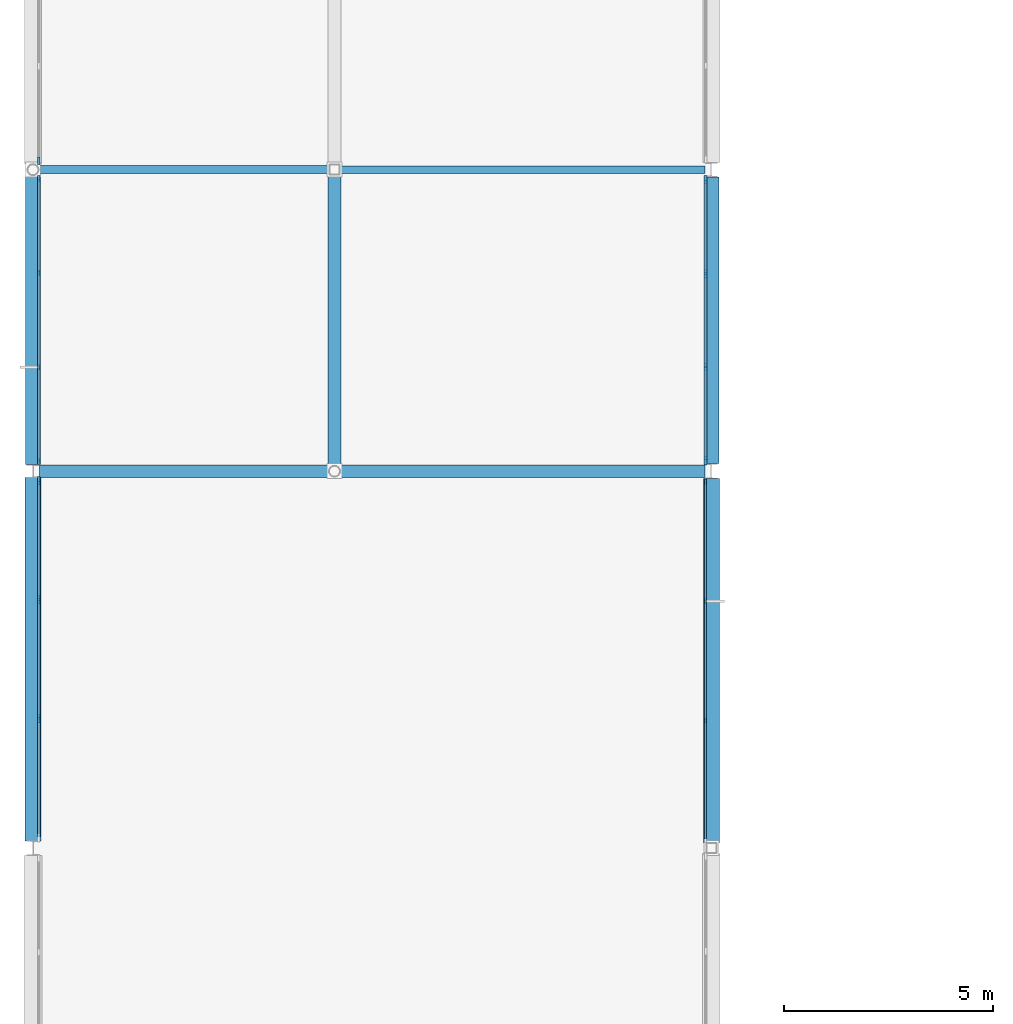
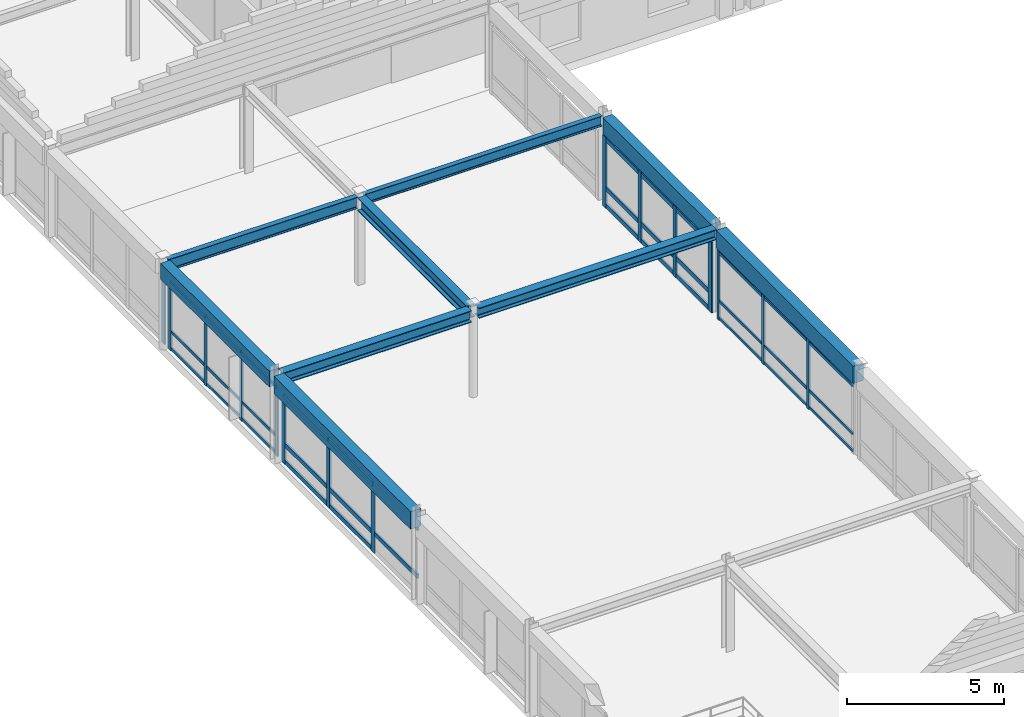
# One storey, part 14 of 52: 50 members, 9 beams, 5 elements without a shape of their own.
"""IFC4 building model written with IfcOpenShell, lengths in metres."""

from ifc_helpers import new_model, si_unit, direction, frame, origin, origin_2d, place, context, subcontext, project, spatial, rectangle, i_section, extrude, material, material_profile, profile_set, type_object, element, aggregate, save


model = new_model("IFC4")

# Units and contexts
model_context = context("Model", 3, precision=1e-05, world=origin(), true_north=direction((0.0, 1.0)))
body_context = subcontext(model_context, "Body", "Model", "MODEL_VIEW")
ifc_project = project(units=[si_unit("LENGTHUNIT", "METRE"), si_unit("AREAUNIT", "SQUARE_METRE"), si_unit("VOLUMEUNIT", "CUBIC_METRE"), si_unit("PLANEANGLEUNIT", "RADIAN"), si_unit("MASSUNIT", "GRAM", prefix="KILO")], contexts=[model_context])

# Site, building, storey
site_placement = place(None, origin())
site = spatial("IfcSite", under=ifc_project, at=site_placement, CompositionType="ELEMENT")
building_placement = place(site_placement, origin())
building = spatial("IfcBuilding", under=site, at=building_placement, Name="Clarverna Civic Hall", CompositionType="ELEMENT")
storey_placement = place(building_placement, frame((0.0, 0.0, 16.800048828125)))
storey = spatial("IfcBuildingStorey", under=building, at=storey_placement, Name="L04", CompositionType="ELEMENT", Elevation=16.800048828125)

# Beams
ifc_material_1 = material(Name="Concrete C35/45", Category="concrete")
ifc_material_profile_1 = material_profile(ifc_material_1, rectangle(XDim=0.3798828125, YDim=0.679931640625, at=origin_2d()), Name="RC 380x680")
ifc_profile_set_1 = profile_set([ifc_material_profile_1], Name="Concrete C35/45")
beam_type_1 = type_object("IfcBeamType", Name="B-SP2", PredefinedType="SPANDREL", material=ifc_profile_set_1)
beam_1_placement = place(storey_placement, frame((0.0, 78.97509765625, 3.079833984375), z_axis=(0.0, 1.0, 0.0), x_axis=(-1.0, 0.0, 0.0)))
element("IfcBeam", 1, at=beam_1_placement, inside=storey, type_object=beam_type_1, Name="B-SP2-142", PredefinedType="SPANDREL", context=body_context, shape_type="SweptSolid", body=[
    extrude(rectangle(XDim=0.3798828125, YDim=0.679931640625, at=origin_2d()), origin(), (0.0, 0.0, 1.0), 8.669921875),
])
beam_2_placement = place(storey_placement, frame((16.199951171875, 78.925048828125, 3.079833984375), z_axis=(0.0, 1.0, 0.0), x_axis=(-1.0, 0.0, 0.0)))
element("IfcBeam", 2, at=beam_2_placement, inside=storey, type_object=beam_type_1, Name="B-SP2-144", PredefinedType="SPANDREL", context=body_context, shape_type="SweptSolid", body=[
    extrude(rectangle(XDim=0.3798828125, YDim=0.679931640625, at=origin_2d()), origin(), (0.0, 0.0, 1.0), 8.695068359375),
])
ifc_material_profile_2 = material_profile(ifc_material_1, rectangle(XDim=0.360107421875, YDim=0.6201171875, at=origin_2d()), Name="RC 360x620")
ifc_profile_set_2 = profile_set([ifc_material_profile_2], Name="Concrete C35/45")
beam_type_2 = type_object("IfcBeamType", Name="B-SP3", PredefinedType="SPANDREL", material=ifc_profile_set_2)
beam_3_placement = place(storey_placement, frame((0.0, 87.955078125, 3.10986328125), z_axis=(0.0, 1.0, 0.0), x_axis=(-1.0, 0.0, 0.0)))
element("IfcBeam", 3, at=beam_3_placement, inside=storey, type_object=beam_type_2, Name="B-SP3-141", PredefinedType="SPANDREL", context=body_context, shape_type="SweptSolid", body=[
    extrude(rectangle(XDim=0.360107421875, YDim=0.6201171875, at=origin_2d()), origin(), (0.0, 0.0, 1.0), 6.908447265625),
])
beam_4_placement = place(storey_placement, frame((16.199951171875, 87.97998046875, 3.10986328125), z_axis=(0.0, 1.0, 0.0), x_axis=(-1.0, 0.0, 0.0)))
element("IfcBeam", 4, at=beam_4_placement, inside=storey, type_object=beam_type_2, Name="B-SP3-142", PredefinedType="SPANDREL", context=body_context, shape_type="SweptSolid", body=[
    extrude(rectangle(XDim=0.360107421875, YDim=0.6201171875, at=origin_2d()), origin(), (0.0, 0.0, 1.0), 6.85009765625),
])
ifc_material_2 = material(Name="Steel S355", Category="steel")
ifc_material_profile_3 = material_profile(ifc_material_2, i_section(OverallWidth=0.18994140625, OverallDepth=0.449951171875, WebThickness=0.009521484375, FlangeThickness=0.0146484375, FilletRadius=0.02099609375, at=origin_2d()), Name="IPE 450")
ifc_profile_set_3 = profile_set([ifc_material_profile_3], Name="Steel S355")
beam_type_3 = type_object("IfcBeamType", Name="B-ST13", PredefinedType="BEAM", material=ifc_profile_set_3)
beam_5_placement = place(storey_placement, frame((0.136474609375, 95.0, 3.195068359375), z_axis=(1.0, 0.0, 0.0), x_axis=(0.0, 1.0, 0.0)))
element("IfcBeam", 5, at=beam_5_placement, inside=storey, type_object=beam_type_3, Name="B-ST13-019", PredefinedType="BEAM", context=body_context, shape_type="SweptSolid", body=[
    extrude(i_section(OverallWidth=0.18994140625, OverallDepth=0.449951171875, WebThickness=0.009521484375, FlangeThickness=0.0146484375, FilletRadius=0.02099609375, at=origin_2d()), origin(), (0.0, 0.0, 1.0), 6.9384765625),
])
ifc_material_profile_4 = material_profile(ifc_material_2, i_section(OverallWidth=0.179931640625, OverallDepth=0.39990234375, WebThickness=0.008544921875, FlangeThickness=0.013427734375, FilletRadius=0.02099609375, at=origin_2d()), Name="IPE 400")
ifc_profile_set_4 = profile_set([ifc_material_profile_4], Name="Steel S355")
beam_type_4 = type_object("IfcBeamType", Name="B-ST14", PredefinedType="BEAM", material=ifc_profile_set_4)
beam_6_placement = place(storey_placement, frame((7.324951171875, 95.0, 3.219970703125), z_axis=(1.0, 0.0, 0.0), x_axis=(0.0, 1.0, 0.0)))
element("IfcBeam", 6, at=beam_6_placement, inside=storey, type_object=beam_type_4, Name="B-ST14-021", PredefinedType="BEAM", context=body_context, shape_type="SweptSolid", body=[
    extrude(i_section(OverallWidth=0.179931640625, OverallDepth=0.39990234375, WebThickness=0.008544921875, FlangeThickness=0.013427734375, FilletRadius=0.02099609375, at=origin_2d()), origin(), (0.0, 0.0, 1.0), 8.72509765625),
])
ifc_material_profile_5 = material_profile(ifc_material_2, i_section(OverallWidth=0.300048828125, OverallDepth=0.5, WebThickness=0.014404296875, FlangeThickness=0.028076171875, FilletRadius=0.027099609375, at=origin_2d()), Name="HEB 500")
ifc_profile_set_5 = profile_set([ifc_material_profile_5], Name="Steel S355")
beam_type_5 = type_object("IfcBeamType", Name="B-ST2", PredefinedType="BEAM", material=ifc_profile_set_5)
beam_7_placement = place(storey_placement, frame((7.199951171875, 87.9365234375, 3.169921875), z_axis=(0.0, 1.0, 0.0), x_axis=(-1.0, 0.0, 0.0)))
element("IfcBeam", 7, at=beam_7_placement, inside=storey, type_object=beam_type_5, Name="B-ST2-019", PredefinedType="BEAM", context=body_context, shape_type="SweptSolid", body=[
    extrude(i_section(OverallWidth=0.300048828125, OverallDepth=0.5, WebThickness=0.014404296875, FlangeThickness=0.028076171875, FilletRadius=0.027099609375, at=origin_2d()), origin(), (0.0, 0.0, 1.0), 6.9384765625),
])
ifc_material_profile_6 = material_profile(ifc_material_2, i_section(OverallWidth=0.300048828125, OverallDepth=0.449951171875, WebThickness=0.013916015625, FlangeThickness=0.02587890625, FilletRadius=0.027099609375, at=origin_2d()), Name="HEB 450")
ifc_profile_set_6 = profile_set([ifc_material_profile_6], Name="Steel S355")
beam_type_6 = type_object("IfcBeamType", Name="B-ST3", PredefinedType="BEAM", material=ifc_profile_set_6)
beam_8_placement = place(storey_placement, frame((0.14990234375, 87.800048828125, 3.195068359375), z_axis=(1.0, 0.0, 0.0), x_axis=(0.0, 1.0, 0.0)))
element("IfcBeam", 8, at=beam_8_placement, inside=storey, type_object=beam_type_6, Name="B-ST3-018", PredefinedType="BEAM", context=body_context, shape_type="SweptSolid", body=[
    extrude(i_section(OverallWidth=0.300048828125, OverallDepth=0.449951171875, WebThickness=0.013916015625, FlangeThickness=0.02587890625, FilletRadius=0.027099609375, at=origin_2d()), origin(), (0.0, 0.0, 1.0), 6.91357421875),
])
ifc_material_profile_7 = material_profile(ifc_material_2, i_section(OverallWidth=0.300048828125, OverallDepth=0.39990234375, WebThickness=0.013427734375, FlangeThickness=0.02392578125, FilletRadius=0.027099609375, at=origin_2d()), Name="HEB 400")
ifc_profile_set_7 = profile_set([ifc_material_profile_7], Name="Steel S355")
beam_type_7 = type_object("IfcBeamType", Name="B-ST4", PredefinedType="BEAM", material=ifc_profile_set_7)
beam_9_placement = place(storey_placement, frame((7.33642578125, 87.800048828125, 3.219970703125), z_axis=(1.0, 0.0, 0.0), x_axis=(0.0, 1.0, 0.0)))
element("IfcBeam", 9, at=beam_9_placement, inside=storey, type_object=beam_type_7, Name="B-ST4-015", PredefinedType="BEAM", context=body_context, shape_type="SweptSolid", body=[
    extrude(i_section(OverallWidth=0.300048828125, OverallDepth=0.39990234375, WebThickness=0.013427734375, FlangeThickness=0.02392578125, FilletRadius=0.027099609375, at=origin_2d()), origin(), (0.0, 0.0, 1.0), 8.713623046875),
])

# Curtain wall, member
ifc_material_3 = material(Name="Anodised Bronze Architectural Aluminium", Category="aluminium")
curtain_wall_type = type_object("IfcCurtainWallType", Name="CW-05", PredefinedType="USERDEFINED", material=ifc_material_3)
curtain_wall_1_placement = place(storey_placement, origin())
curtain_wall_1 = element("IfcCurtainWall", 10, at=curtain_wall_1_placement, inside=storey, type_object=curtain_wall_type, Name="CW-05-027", ObjectType="UNITISED CURTAIN WALL", PredefinedType="USERDEFINED")
ifc_material_profile_8 = material_profile(ifc_material_3, rectangle(XDim=0.06005859375, YDim=0.179931640625, at=origin_2d()), Name="BRONZE 60x180")
ifc_profile_set_8 = profile_set([ifc_material_profile_8], Name="Anodised Bronze Architectural Aluminium")
member_type_1 = type_object("IfcMemberType", Name="CWM-01", PredefinedType="MULLION", material=ifc_profile_set_8)
member_1_placement = place(storey_placement, frame((0.139892578125, 95.20947265625, 0.0), z_axis=(0.0, 0.0, 1.0), x_axis=(1.0, 0.0, 0.0)))
member_1 = element("IfcMember", 11, at=member_1_placement, type_object=member_type_1, Name="CWM-01-186", PredefinedType="MULLION", context=body_context, shape_type="SweptSolid", body=[
    extrude(rectangle(XDim=0.06005859375, YDim=0.179931640625, at=origin_2d()), origin(), (0.0, 0.0, 1.0), 2.699951171875),
])
aggregate(curtain_wall_1, [member_1])

# Curtain wall, members
curtain_wall_2_placement = place(storey_placement, origin())
curtain_wall_2 = element("IfcCurtainWall", 12, at=curtain_wall_2_placement, inside=storey, type_object=curtain_wall_type, Name="CW-05-025", ObjectType="UNITISED CURTAIN WALL", PredefinedType="USERDEFINED")
ifc_material_profile_9 = material_profile(ifc_material_3, rectangle(XDim=0.06494140625, YDim=0.199951171875, at=origin_2d()), Name="BRONZE 65x200")
ifc_profile_set_9 = profile_set([ifc_material_profile_9], Name="Anodised Bronze Architectural Aluminium")
member_type_2 = type_object("IfcMemberType", Name="CWM-03", PredefinedType="MULLION", material=ifc_profile_set_9)
member_2_placement = place(storey_placement, frame((0.139892578125, 81.889404296875, 0.0), z_axis=(0.0, 0.0, 1.0), x_axis=(1.0, 0.0, 0.0)))
member_2 = element("IfcMember", 13, at=member_2_placement, type_object=member_type_2, Name="CWM-03-189", PredefinedType="MULLION", context=body_context, shape_type="SweptSolid", body=[
    extrude(rectangle(XDim=0.06494140625, YDim=0.199951171875, at=origin_2d()), origin(), (0.0, 0.0, 1.0), 2.699951171875),
])
member_3_placement = place(storey_placement, frame((0.139892578125, 84.730712890625, 0.0), z_axis=(0.0, 0.0, 1.0), x_axis=(1.0, 0.0, 0.0)))
member_3 = element("IfcMember", 14, at=member_3_placement, type_object=member_type_2, Name="CWM-03-190", PredefinedType="MULLION", context=body_context, shape_type="SweptSolid", body=[
    extrude(rectangle(XDim=0.06494140625, YDim=0.199951171875, at=origin_2d()), origin(), (0.0, 0.0, 1.0), 2.699951171875),
])
member_4_placement = place(storey_placement, frame((0.139892578125, 87.572021484375, 0.0), z_axis=(0.0, 0.0, 1.0), x_axis=(1.0, 0.0, 0.0)))
member_4 = element("IfcMember", 15, at=member_4_placement, type_object=member_type_2, Name="CWM-03-191", PredefinedType="MULLION", context=body_context, shape_type="SweptSolid", body=[
    extrude(rectangle(XDim=0.06494140625, YDim=0.199951171875, at=origin_2d()), origin(), (0.0, 0.0, 1.0), 2.699951171875),
])

curtain_wall_3_placement = place(storey_placement, origin())
curtain_wall_3 = element("IfcCurtainWall", 16, at=curtain_wall_3_placement, inside=storey, type_object=curtain_wall_type, Name="CW-05-033", ObjectType="UNITISED CURTAIN WALL", PredefinedType="USERDEFINED")
member_5_placement = place(storey_placement, frame((16.06005859375, 94.757080078125, 0.0), z_axis=(0.0, 0.0, 1.0), x_axis=(1.0, 0.0, 0.0)))
member_5 = element("IfcMember", 17, at=member_5_placement, type_object=member_type_2, Name="CWM-03-195", PredefinedType="MULLION", context=body_context, shape_type="SweptSolid", body=[
    extrude(rectangle(XDim=0.06494140625, YDim=0.199951171875, at=origin_2d()), origin(), (0.0, 0.0, 1.0), 2.739990234375),
])
member_6_placement = place(storey_placement, frame((16.06005859375, 92.522216796875, 0.0), z_axis=(0.0, 0.0, 1.0), x_axis=(1.0, 0.0, 0.0)))
member_6 = element("IfcMember", 18, at=member_6_placement, type_object=member_type_2, Name="CWM-03-196", PredefinedType="MULLION", context=body_context, shape_type="SweptSolid", body=[
    extrude(rectangle(XDim=0.06494140625, YDim=0.199951171875, at=origin_2d()), origin(), (0.0, 0.0, 1.0), 2.739990234375),
])
member_7_placement = place(storey_placement, frame((16.06005859375, 90.28759765625, 0.0), z_axis=(0.0, 0.0, 1.0), x_axis=(1.0, 0.0, 0.0)))
member_7 = element("IfcMember", 19, at=member_7_placement, type_object=member_type_2, Name="CWM-03-197", PredefinedType="MULLION", context=body_context, shape_type="SweptSolid", body=[
    extrude(rectangle(XDim=0.06494140625, YDim=0.199951171875, at=origin_2d()), origin(), (0.0, 0.0, 1.0), 2.739990234375),
])
member_8_placement = place(storey_placement, frame((16.06005859375, 88.052978515625, 0.0), z_axis=(0.0, 0.0, 1.0), x_axis=(1.0, 0.0, 0.0)))
member_8 = element("IfcMember", 20, at=member_8_placement, type_object=member_type_2, Name="CWM-03-198", PredefinedType="MULLION", context=body_context, shape_type="SweptSolid", body=[
    extrude(rectangle(XDim=0.06494140625, YDim=0.199951171875, at=origin_2d()), origin(), (0.0, 0.0, 1.0), 2.739990234375),
])

curtain_wall_4_placement = place(storey_placement, origin())
curtain_wall_4 = element("IfcCurtainWall", 21, at=curtain_wall_4_placement, inside=storey, type_object=curtain_wall_type, Name="CW-05-026", ObjectType="UNITISED CURTAIN WALL", PredefinedType="USERDEFINED")
ifc_material_profile_10 = material_profile(ifc_material_3, rectangle(XDim=0.054931640625, YDim=0.139892578125, at=origin_2d()), Name="BRONZE 55x140")
ifc_profile_set_10 = profile_set([ifc_material_profile_10], Name="Anodised Bronze Architectural Aluminium")
member_type_3 = type_object("IfcMemberType", Name="CWM-04", PredefinedType="MULLION", material=ifc_profile_set_10)
member_9_placement = place(storey_placement, frame((0.139892578125, 88.028076171875, 0.0), z_axis=(0.0, 0.0, 1.0), x_axis=(1.0, 0.0, 0.0)))
member_9 = element("IfcMember", 22, at=member_9_placement, type_object=member_type_3, Name="CWM-04-211", PredefinedType="MULLION", context=body_context, shape_type="SweptSolid", body=[
    extrude(rectangle(XDim=0.054931640625, YDim=0.139892578125, at=origin_2d()), origin(), (0.0, 0.0, 1.0), 2.739990234375),
])
member_10_placement = place(storey_placement, frame((0.139892578125, 90.2822265625, 0.0), z_axis=(0.0, 0.0, 1.0), x_axis=(1.0, 0.0, 0.0)))
member_10 = element("IfcMember", 23, at=member_10_placement, type_object=member_type_3, Name="CWM-04-212", PredefinedType="MULLION", context=body_context, shape_type="SweptSolid", body=[
    extrude(rectangle(XDim=0.054931640625, YDim=0.139892578125, at=origin_2d()), origin(), (0.0, 0.0, 1.0), 2.739990234375),
])
member_11_placement = place(storey_placement, frame((0.139892578125, 92.536376953125, 0.0), z_axis=(0.0, 0.0, 1.0), x_axis=(1.0, 0.0, 0.0)))
member_11 = element("IfcMember", 24, at=member_11_placement, type_object=member_type_3, Name="CWM-04-213", PredefinedType="MULLION", context=body_context, shape_type="SweptSolid", body=[
    extrude(rectangle(XDim=0.054931640625, YDim=0.139892578125, at=origin_2d()), origin(), (0.0, 0.0, 1.0), 2.739990234375),
])
member_12_placement = place(storey_placement, frame((0.139892578125, 94.79052734375, 0.0), z_axis=(0.0, 0.0, 1.0), x_axis=(1.0, 0.0, 0.0)))
member_12 = element("IfcMember", 25, at=member_12_placement, type_object=member_type_3, Name="CWM-04-214", PredefinedType="MULLION", context=body_context, shape_type="SweptSolid", body=[
    extrude(rectangle(XDim=0.054931640625, YDim=0.139892578125, at=origin_2d()), origin(), (0.0, 0.0, 1.0), 2.739990234375),
])

curtain_wall_5_placement = place(storey_placement, origin())
curtain_wall_5 = element("IfcCurtainWall", 26, at=curtain_wall_5_placement, inside=storey, type_object=curtain_wall_type, Name="CW-05-034", ObjectType="UNITISED CURTAIN WALL", PredefinedType="USERDEFINED")
member_13_placement = place(storey_placement, frame((16.06005859375, 87.547119140625, 0.0), z_axis=(0.0, 0.0, 1.0), x_axis=(1.0, 0.0, 0.0)))
member_13 = element("IfcMember", 27, at=member_13_placement, type_object=member_type_3, Name="CWM-04-218", PredefinedType="MULLION", context=body_context, shape_type="SweptSolid", body=[
    extrude(rectangle(XDim=0.054931640625, YDim=0.139892578125, at=origin_2d()), origin(), (0.0, 0.0, 1.0), 2.699951171875),
])
member_14_placement = place(storey_placement, frame((16.06005859375, 84.697265625, 0.0), z_axis=(0.0, 0.0, 1.0), x_axis=(1.0, 0.0, 0.0)))
member_14 = element("IfcMember", 28, at=member_14_placement, type_object=member_type_3, Name="CWM-04-219", PredefinedType="MULLION", context=body_context, shape_type="SweptSolid", body=[
    extrude(rectangle(XDim=0.054931640625, YDim=0.139892578125, at=origin_2d()), origin(), (0.0, 0.0, 1.0), 2.699951171875),
])
member_15_placement = place(storey_placement, frame((16.06005859375, 81.84765625, 0.0), z_axis=(0.0, 0.0, 1.0), x_axis=(1.0, 0.0, 0.0)))
member_15 = element("IfcMember", 29, at=member_15_placement, type_object=member_type_3, Name="CWM-04-220", PredefinedType="MULLION", context=body_context, shape_type="SweptSolid", body=[
    extrude(rectangle(XDim=0.054931640625, YDim=0.139892578125, at=origin_2d()), origin(), (0.0, 0.0, 1.0), 2.699951171875),
])

# Member
ifc_material_profile_11 = material_profile(ifc_material_3, rectangle(XDim=0.06494140625, YDim=0.169921875, at=origin_2d()), Name="BRONZE 65x170")
ifc_profile_set_11 = profile_set([ifc_material_profile_11], Name="Anodised Bronze Architectural Aluminium")
member_type_4 = type_object("IfcMemberType", Name="CWT-03", PredefinedType="USERDEFINED", material=ifc_profile_set_11)
member_16_placement = place(storey_placement, frame((0.139892578125, 79.06298828125, 0.75), z_axis=(0.0, 1.0, 0.0), x_axis=(-1.0, 0.0, 0.0)))
member_16 = element("IfcMember", 30, at=member_16_placement, type_object=member_type_4, Name="CWT-03-401", ObjectType="TRANSOM", PredefinedType="USERDEFINED", context=body_context, shape_type="SweptSolid", body=[
    extrude(rectangle(XDim=0.06494140625, YDim=0.169921875, at=origin_2d()), origin(), (0.0, 0.0, 1.0), 2.811279296875),
])

member_17_placement = place(storey_placement, frame((0.139892578125, 79.06298828125, 2.60498046875), z_axis=(0.0, 1.0, 0.0), x_axis=(-1.0, 0.0, 0.0)))
member_17 = element("IfcMember", 31, at=member_17_placement, type_object=member_type_4, Name="CWT-03-402", ObjectType="TRANSOM", PredefinedType="USERDEFINED", context=body_context, shape_type="SweptSolid", body=[
    extrude(rectangle(XDim=0.06494140625, YDim=0.169921875, at=origin_2d()), origin(), (0.0, 0.0, 1.0), 2.811279296875),
])

member_18_placement = place(storey_placement, frame((0.139892578125, 81.904296875, 0.094970703125), z_axis=(0.0, 1.0, 0.0), x_axis=(-1.0, 0.0, 0.0)))
member_18 = element("IfcMember", 32, at=member_18_placement, type_object=member_type_4, Name="CWT-03-403", ObjectType="TRANSOM", PredefinedType="USERDEFINED", context=body_context, shape_type="SweptSolid", body=[
    extrude(rectangle(XDim=0.06494140625, YDim=0.169921875, at=origin_2d()), origin(), (0.0, 0.0, 1.0), 2.8115234375),
])

member_19_placement = place(storey_placement, frame((0.139892578125, 81.904296875, 0.75), z_axis=(0.0, 1.0, 0.0), x_axis=(-1.0, 0.0, 0.0)))
member_19 = element("IfcMember", 33, at=member_19_placement, type_object=member_type_4, Name="CWT-03-404", ObjectType="TRANSOM", PredefinedType="USERDEFINED", context=body_context, shape_type="SweptSolid", body=[
    extrude(rectangle(XDim=0.06494140625, YDim=0.169921875, at=origin_2d()), origin(), (0.0, 0.0, 1.0), 2.8115234375),
])

member_20_placement = place(storey_placement, frame((0.139892578125, 81.904296875, 2.60498046875), z_axis=(0.0, 1.0, 0.0), x_axis=(-1.0, 0.0, 0.0)))
member_20 = element("IfcMember", 34, at=member_20_placement, type_object=member_type_4, Name="CWT-03-405", ObjectType="TRANSOM", PredefinedType="USERDEFINED", context=body_context, shape_type="SweptSolid", body=[
    extrude(rectangle(XDim=0.06494140625, YDim=0.169921875, at=origin_2d()), origin(), (0.0, 0.0, 1.0), 2.8115234375),
])

member_21_placement = place(storey_placement, frame((0.139892578125, 84.74560546875, 0.094970703125), z_axis=(0.0, 1.0, 0.0), x_axis=(-1.0, 0.0, 0.0)))
member_21 = element("IfcMember", 35, at=member_21_placement, type_object=member_type_4, Name="CWT-03-406", ObjectType="TRANSOM", PredefinedType="USERDEFINED", context=body_context, shape_type="SweptSolid", body=[
    extrude(rectangle(XDim=0.06494140625, YDim=0.169921875, at=origin_2d()), origin(), (0.0, 0.0, 1.0), 2.811279296875),
])

member_22_placement = place(storey_placement, frame((0.139892578125, 84.74560546875, 0.75), z_axis=(0.0, 1.0, 0.0), x_axis=(-1.0, 0.0, 0.0)))
member_22 = element("IfcMember", 36, at=member_22_placement, type_object=member_type_4, Name="CWT-03-407", ObjectType="TRANSOM", PredefinedType="USERDEFINED", context=body_context, shape_type="SweptSolid", body=[
    extrude(rectangle(XDim=0.06494140625, YDim=0.169921875, at=origin_2d()), origin(), (0.0, 0.0, 1.0), 2.811279296875),
])

member_23_placement = place(storey_placement, frame((0.139892578125, 84.74560546875, 2.60498046875), z_axis=(0.0, 1.0, 0.0), x_axis=(-1.0, 0.0, 0.0)))
member_23 = element("IfcMember", 37, at=member_23_placement, type_object=member_type_4, Name="CWT-03-408", ObjectType="TRANSOM", PredefinedType="USERDEFINED", context=body_context, shape_type="SweptSolid", body=[
    extrude(rectangle(XDim=0.06494140625, YDim=0.169921875, at=origin_2d()), origin(), (0.0, 0.0, 1.0), 2.811279296875),
])

aggregate(curtain_wall_2, [member_2, member_3, member_4, member_16, member_17, member_18, member_19, member_20, member_21, member_22, member_23])

member_24_placement = place(storey_placement, frame((16.06005859375, 94.741943359375, 0.094970703125), z_axis=(0.0, -1.0, 0.0), x_axis=(1.0, 0.0, 0.0)))
member_24 = element("IfcMember", 38, at=member_24_placement, type_object=member_type_4, Name="CWT-03-415", ObjectType="TRANSOM", PredefinedType="USERDEFINED", context=body_context, shape_type="SweptSolid", body=[
    extrude(rectangle(XDim=0.06494140625, YDim=0.169921875, at=origin_2d()), origin(), (0.0, 0.0, 1.0), 2.20458984375),
])

member_25_placement = place(storey_placement, frame((16.06005859375, 94.741943359375, 0.75), z_axis=(0.0, -1.0, 0.0), x_axis=(1.0, 0.0, 0.0)))
member_25 = element("IfcMember", 39, at=member_25_placement, type_object=member_type_4, Name="CWT-03-416", ObjectType="TRANSOM", PredefinedType="USERDEFINED", context=body_context, shape_type="SweptSolid", body=[
    extrude(rectangle(XDim=0.06494140625, YDim=0.169921875, at=origin_2d()), origin(), (0.0, 0.0, 1.0), 2.20458984375),
])

member_26_placement = place(storey_placement, frame((16.06005859375, 94.741943359375, 2.64501953125), z_axis=(0.0, -1.0, 0.0), x_axis=(1.0, 0.0, 0.0)))
member_26 = element("IfcMember", 40, at=member_26_placement, type_object=member_type_4, Name="CWT-03-417", ObjectType="TRANSOM", PredefinedType="USERDEFINED", context=body_context, shape_type="SweptSolid", body=[
    extrude(rectangle(XDim=0.06494140625, YDim=0.169921875, at=origin_2d()), origin(), (0.0, 0.0, 1.0), 2.20458984375),
])

member_27_placement = place(storey_placement, frame((16.06005859375, 92.50732421875, 0.094970703125), z_axis=(0.0, -1.0, 0.0), x_axis=(1.0, 0.0, 0.0)))
member_27 = element("IfcMember", 41, at=member_27_placement, type_object=member_type_4, Name="CWT-03-418", ObjectType="TRANSOM", PredefinedType="USERDEFINED", context=body_context, shape_type="SweptSolid", body=[
    extrude(rectangle(XDim=0.06494140625, YDim=0.169921875, at=origin_2d()), origin(), (0.0, 0.0, 1.0), 2.20458984375),
])

member_28_placement = place(storey_placement, frame((16.06005859375, 92.50732421875, 0.75), z_axis=(0.0, -1.0, 0.0), x_axis=(1.0, 0.0, 0.0)))
member_28 = element("IfcMember", 42, at=member_28_placement, type_object=member_type_4, Name="CWT-03-419", ObjectType="TRANSOM", PredefinedType="USERDEFINED", context=body_context, shape_type="SweptSolid", body=[
    extrude(rectangle(XDim=0.06494140625, YDim=0.169921875, at=origin_2d()), origin(), (0.0, 0.0, 1.0), 2.20458984375),
])

member_29_placement = place(storey_placement, frame((16.06005859375, 92.50732421875, 2.64501953125), z_axis=(0.0, -1.0, 0.0), x_axis=(1.0, 0.0, 0.0)))
member_29 = element("IfcMember", 43, at=member_29_placement, type_object=member_type_4, Name="CWT-03-420", ObjectType="TRANSOM", PredefinedType="USERDEFINED", context=body_context, shape_type="SweptSolid", body=[
    extrude(rectangle(XDim=0.06494140625, YDim=0.169921875, at=origin_2d()), origin(), (0.0, 0.0, 1.0), 2.20458984375),
])

member_30_placement = place(storey_placement, frame((16.06005859375, 90.272705078125, 0.094970703125), z_axis=(0.0, -1.0, 0.0), x_axis=(1.0, 0.0, 0.0)))
member_30 = element("IfcMember", 44, at=member_30_placement, type_object=member_type_4, Name="CWT-03-421", ObjectType="TRANSOM", PredefinedType="USERDEFINED", context=body_context, shape_type="SweptSolid", body=[
    extrude(rectangle(XDim=0.06494140625, YDim=0.169921875, at=origin_2d()), origin(), (0.0, 0.0, 1.0), 2.20458984375),
])

member_31_placement = place(storey_placement, frame((16.06005859375, 90.272705078125, 0.75), z_axis=(0.0, -1.0, 0.0), x_axis=(1.0, 0.0, 0.0)))
member_31 = element("IfcMember", 45, at=member_31_placement, type_object=member_type_4, Name="CWT-03-422", ObjectType="TRANSOM", PredefinedType="USERDEFINED", context=body_context, shape_type="SweptSolid", body=[
    extrude(rectangle(XDim=0.06494140625, YDim=0.169921875, at=origin_2d()), origin(), (0.0, 0.0, 1.0), 2.20458984375),
])

member_32_placement = place(storey_placement, frame((16.06005859375, 90.272705078125, 2.64501953125), z_axis=(0.0, -1.0, 0.0), x_axis=(1.0, 0.0, 0.0)))
member_32 = element("IfcMember", 46, at=member_32_placement, type_object=member_type_4, Name="CWT-03-423", ObjectType="TRANSOM", PredefinedType="USERDEFINED", context=body_context, shape_type="SweptSolid", body=[
    extrude(rectangle(XDim=0.06494140625, YDim=0.169921875, at=origin_2d()), origin(), (0.0, 0.0, 1.0), 2.20458984375),
])

aggregate(curtain_wall_3, [member_5, member_6, member_7, member_8, member_24, member_25, member_26, member_27, member_28, member_29, member_30, member_31, member_32])

ifc_material_profile_12 = material_profile(ifc_material_3, rectangle(XDim=0.054931640625, YDim=0.110107421875, at=origin_2d()), Name="BRONZE 55x110")
ifc_profile_set_12 = profile_set([ifc_material_profile_12], Name="Anodised Bronze Architectural Aluminium")
member_type_5 = type_object("IfcMemberType", Name="CWT-04", PredefinedType="USERDEFINED", material=ifc_profile_set_12)
member_33_placement = place(storey_placement, frame((0.139892578125, 88.04296875, 0.094970703125), z_axis=(0.0, 1.0, 0.0), x_axis=(-1.0, 0.0, 0.0)))
member_33 = element("IfcMember", 47, at=member_33_placement, type_object=member_type_5, Name="CWT-04-448", ObjectType="TRANSOM", PredefinedType="USERDEFINED", context=body_context, shape_type="SweptSolid", body=[
    extrude(rectangle(XDim=0.054931640625, YDim=0.110107421875, at=origin_2d()), origin(), (0.0, 0.0, 1.0), 2.22412109375),
])

member_34_placement = place(storey_placement, frame((0.139892578125, 88.04296875, 0.75), z_axis=(0.0, 1.0, 0.0), x_axis=(-1.0, 0.0, 0.0)))
member_34 = element("IfcMember", 48, at=member_34_placement, type_object=member_type_5, Name="CWT-04-449", ObjectType="TRANSOM", PredefinedType="USERDEFINED", context=body_context, shape_type="SweptSolid", body=[
    extrude(rectangle(XDim=0.054931640625, YDim=0.110107421875, at=origin_2d()), origin(), (0.0, 0.0, 1.0), 2.22412109375),
])

member_35_placement = place(storey_placement, frame((0.139892578125, 88.04296875, 2.64501953125), z_axis=(0.0, 1.0, 0.0), x_axis=(-1.0, 0.0, 0.0)))
member_35 = element("IfcMember", 49, at=member_35_placement, type_object=member_type_5, Name="CWT-04-450", ObjectType="TRANSOM", PredefinedType="USERDEFINED", context=body_context, shape_type="SweptSolid", body=[
    extrude(rectangle(XDim=0.054931640625, YDim=0.110107421875, at=origin_2d()), origin(), (0.0, 0.0, 1.0), 2.22412109375),
])

member_36_placement = place(storey_placement, frame((0.139892578125, 90.297119140625, 0.094970703125), z_axis=(0.0, 1.0, 0.0), x_axis=(-1.0, 0.0, 0.0)))
member_36 = element("IfcMember", 50, at=member_36_placement, type_object=member_type_5, Name="CWT-04-451", ObjectType="TRANSOM", PredefinedType="USERDEFINED", context=body_context, shape_type="SweptSolid", body=[
    extrude(rectangle(XDim=0.054931640625, YDim=0.110107421875, at=origin_2d()), origin(), (0.0, 0.0, 1.0), 2.22412109375),
])

member_37_placement = place(storey_placement, frame((0.139892578125, 90.297119140625, 0.75), z_axis=(0.0, 1.0, 0.0), x_axis=(-1.0, 0.0, 0.0)))
member_37 = element("IfcMember", 51, at=member_37_placement, type_object=member_type_5, Name="CWT-04-452", ObjectType="TRANSOM", PredefinedType="USERDEFINED", context=body_context, shape_type="SweptSolid", body=[
    extrude(rectangle(XDim=0.054931640625, YDim=0.110107421875, at=origin_2d()), origin(), (0.0, 0.0, 1.0), 2.22412109375),
])

member_38_placement = place(storey_placement, frame((0.139892578125, 90.297119140625, 2.64501953125), z_axis=(0.0, 1.0, 0.0), x_axis=(-1.0, 0.0, 0.0)))
member_38 = element("IfcMember", 52, at=member_38_placement, type_object=member_type_5, Name="CWT-04-453", ObjectType="TRANSOM", PredefinedType="USERDEFINED", context=body_context, shape_type="SweptSolid", body=[
    extrude(rectangle(XDim=0.054931640625, YDim=0.110107421875, at=origin_2d()), origin(), (0.0, 0.0, 1.0), 2.22412109375),
])

member_39_placement = place(storey_placement, frame((0.139892578125, 92.55126953125, 0.094970703125), z_axis=(0.0, 1.0, 0.0), x_axis=(-1.0, 0.0, 0.0)))
member_39 = element("IfcMember", 53, at=member_39_placement, type_object=member_type_5, Name="CWT-04-454", ObjectType="TRANSOM", PredefinedType="USERDEFINED", context=body_context, shape_type="SweptSolid", body=[
    extrude(rectangle(XDim=0.054931640625, YDim=0.110107421875, at=origin_2d()), origin(), (0.0, 0.0, 1.0), 2.22412109375),
])

member_40_placement = place(storey_placement, frame((0.139892578125, 92.55126953125, 0.75), z_axis=(0.0, 1.0, 0.0), x_axis=(-1.0, 0.0, 0.0)))
member_40 = element("IfcMember", 54, at=member_40_placement, type_object=member_type_5, Name="CWT-04-455", ObjectType="TRANSOM", PredefinedType="USERDEFINED", context=body_context, shape_type="SweptSolid", body=[
    extrude(rectangle(XDim=0.054931640625, YDim=0.110107421875, at=origin_2d()), origin(), (0.0, 0.0, 1.0), 2.22412109375),
])

member_41_placement = place(storey_placement, frame((0.139892578125, 92.55126953125, 2.64501953125), z_axis=(0.0, 1.0, 0.0), x_axis=(-1.0, 0.0, 0.0)))
member_41 = element("IfcMember", 55, at=member_41_placement, type_object=member_type_5, Name="CWT-04-456", ObjectType="TRANSOM", PredefinedType="USERDEFINED", context=body_context, shape_type="SweptSolid", body=[
    extrude(rectangle(XDim=0.054931640625, YDim=0.110107421875, at=origin_2d()), origin(), (0.0, 0.0, 1.0), 2.22412109375),
])

aggregate(curtain_wall_4, [member_9, member_10, member_11, member_12, member_33, member_34, member_35, member_36, member_37, member_38, member_39, member_40, member_41])

member_42_placement = place(storey_placement, frame((16.06005859375, 87.531982421875, 0.094970703125), z_axis=(0.0, -1.0, 0.0), x_axis=(1.0, 0.0, 0.0)))
member_42 = element("IfcMember", 56, at=member_42_placement, type_object=member_type_5, Name="CWT-04-463", ObjectType="TRANSOM", PredefinedType="USERDEFINED", context=body_context, shape_type="SweptSolid", body=[
    extrude(rectangle(XDim=0.054931640625, YDim=0.110107421875, at=origin_2d()), origin(), (0.0, 0.0, 1.0), 2.819580078125),
])

member_43_placement = place(storey_placement, frame((16.06005859375, 87.531982421875, 0.75), z_axis=(0.0, -1.0, 0.0), x_axis=(1.0, 0.0, 0.0)))
member_43 = element("IfcMember", 57, at=member_43_placement, type_object=member_type_5, Name="CWT-04-464", ObjectType="TRANSOM", PredefinedType="USERDEFINED", context=body_context, shape_type="SweptSolid", body=[
    extrude(rectangle(XDim=0.054931640625, YDim=0.110107421875, at=origin_2d()), origin(), (0.0, 0.0, 1.0), 2.819580078125),
])

member_44_placement = place(storey_placement, frame((16.06005859375, 87.531982421875, 2.60498046875), z_axis=(0.0, -1.0, 0.0), x_axis=(1.0, 0.0, 0.0)))
member_44 = element("IfcMember", 58, at=member_44_placement, type_object=member_type_5, Name="CWT-04-465", ObjectType="TRANSOM", PredefinedType="USERDEFINED", context=body_context, shape_type="SweptSolid", body=[
    extrude(rectangle(XDim=0.054931640625, YDim=0.110107421875, at=origin_2d()), origin(), (0.0, 0.0, 1.0), 2.819580078125),
])

member_45_placement = place(storey_placement, frame((16.06005859375, 84.682373046875, 0.094970703125), z_axis=(0.0, -1.0, 0.0), x_axis=(1.0, 0.0, 0.0)))
member_45 = element("IfcMember", 59, at=member_45_placement, type_object=member_type_5, Name="CWT-04-466", ObjectType="TRANSOM", PredefinedType="USERDEFINED", context=body_context, shape_type="SweptSolid", body=[
    extrude(rectangle(XDim=0.054931640625, YDim=0.110107421875, at=origin_2d()), origin(), (0.0, 0.0, 1.0), 2.819580078125),
])

member_46_placement = place(storey_placement, frame((16.06005859375, 84.682373046875, 0.75), z_axis=(0.0, -1.0, 0.0), x_axis=(1.0, 0.0, 0.0)))
member_46 = element("IfcMember", 60, at=member_46_placement, type_object=member_type_5, Name="CWT-04-467", ObjectType="TRANSOM", PredefinedType="USERDEFINED", context=body_context, shape_type="SweptSolid", body=[
    extrude(rectangle(XDim=0.054931640625, YDim=0.110107421875, at=origin_2d()), origin(), (0.0, 0.0, 1.0), 2.819580078125),
])

member_47_placement = place(storey_placement, frame((16.06005859375, 84.682373046875, 2.60498046875), z_axis=(0.0, -1.0, 0.0), x_axis=(1.0, 0.0, 0.0)))
member_47 = element("IfcMember", 61, at=member_47_placement, type_object=member_type_5, Name="CWT-04-468", ObjectType="TRANSOM", PredefinedType="USERDEFINED", context=body_context, shape_type="SweptSolid", body=[
    extrude(rectangle(XDim=0.054931640625, YDim=0.110107421875, at=origin_2d()), origin(), (0.0, 0.0, 1.0), 2.819580078125),
])

member_48_placement = place(storey_placement, frame((16.06005859375, 81.832763671875, 0.094970703125), z_axis=(0.0, -1.0, 0.0), x_axis=(1.0, 0.0, 0.0)))
member_48 = element("IfcMember", 62, at=member_48_placement, type_object=member_type_5, Name="CWT-04-469", ObjectType="TRANSOM", PredefinedType="USERDEFINED", context=body_context, shape_type="SweptSolid", body=[
    extrude(rectangle(XDim=0.054931640625, YDim=0.110107421875, at=origin_2d()), origin(), (0.0, 0.0, 1.0), 2.81982421875),
])

member_49_placement = place(storey_placement, frame((16.06005859375, 81.832763671875, 0.75), z_axis=(0.0, -1.0, 0.0), x_axis=(1.0, 0.0, 0.0)))
member_49 = element("IfcMember", 63, at=member_49_placement, type_object=member_type_5, Name="CWT-04-470", ObjectType="TRANSOM", PredefinedType="USERDEFINED", context=body_context, shape_type="SweptSolid", body=[
    extrude(rectangle(XDim=0.054931640625, YDim=0.110107421875, at=origin_2d()), origin(), (0.0, 0.0, 1.0), 2.81982421875),
])

member_50_placement = place(storey_placement, frame((16.06005859375, 81.832763671875, 2.60498046875), z_axis=(0.0, -1.0, 0.0), x_axis=(1.0, 0.0, 0.0)))
member_50 = element("IfcMember", 64, at=member_50_placement, type_object=member_type_5, Name="CWT-04-471", ObjectType="TRANSOM", PredefinedType="USERDEFINED", context=body_context, shape_type="SweptSolid", body=[
    extrude(rectangle(XDim=0.054931640625, YDim=0.110107421875, at=origin_2d()), origin(), (0.0, 0.0, 1.0), 2.81982421875),
])

aggregate(curtain_wall_5, [member_13, member_14, member_15, member_42, member_43, member_44, member_45, member_46, member_47, member_48, member_49, member_50])

save(model, "model.ifc")
